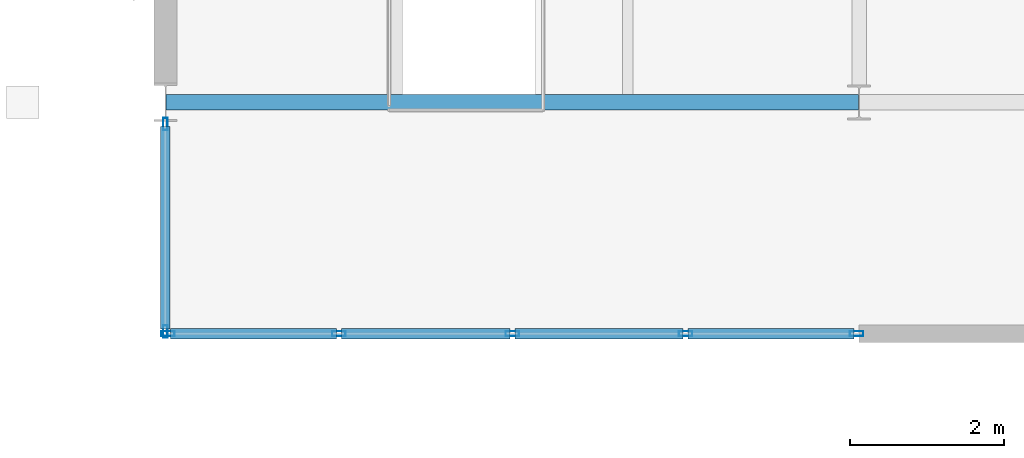
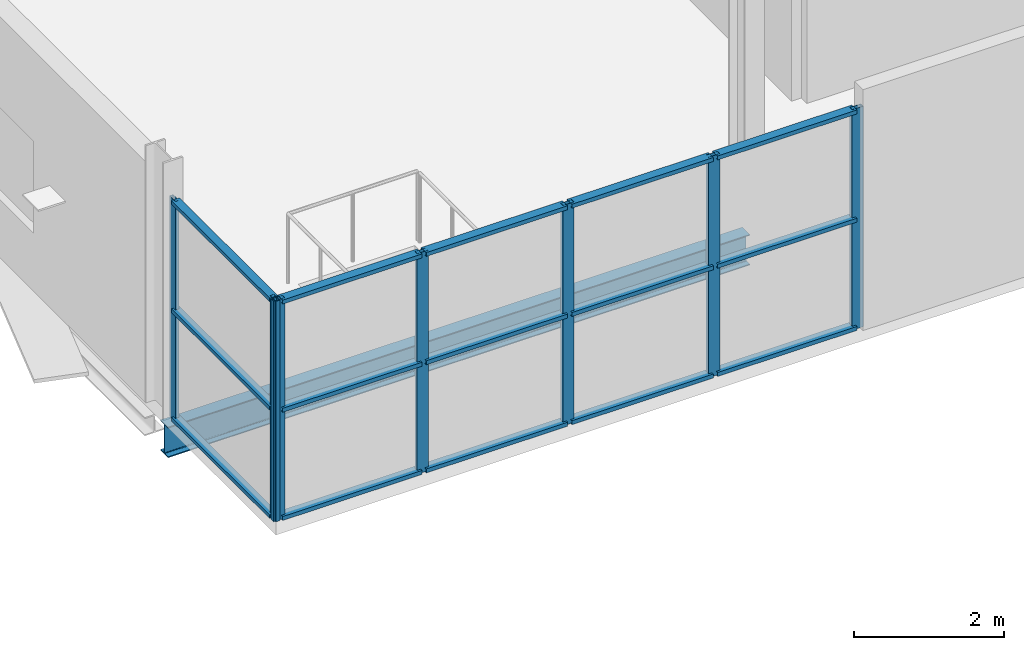
# One storey, part 44 of 132: 22 members, 1 beam, 2 elements without a shape of their own.
"""IFC4 building model written with IfcOpenShell, lengths in metres."""

import ifcopenshell
import ifcopenshell.guid

model = None  # the IFC model being written
_history = None  # IfcOwnerHistory: only IFC2X3 demands one
_inside = {}  # id of a spatial element -> (the spatial element, [elements in it])
_under = {}  # id of a project, library or spatial element -> (it, [spatial elements below it])
_declared = {}  # id of a project -> (the project, [libraries it declares])
_typed = {}  # id of a type object -> (the type object, [elements of that type])
_made_of = {}  # id of a material, layer set ... -> (it, [elements and type objects made of it])


def new_model(schema):
    """Start an empty IFC model of exactly this schema.

    Asked for "IFC4X3", IfcOpenShell would pick the latest addendum, in which some entities
    have other attributes; the version numbers below select the first issue.
    IFC2X3 requires an IfcOwnerHistory on every rooted entity: one is made here for all.
    """
    global model, _history
    if schema == "IFC4X3":
        model = ifcopenshell.file(schema_version=(4, 3, 0, 0))
    else:
        model = ifcopenshell.file(schema=schema)
    _inside.clear()
    _under.clear()
    _declared.clear()
    _typed.clear()
    _made_of.clear()
    _history = None
    if model.schema == "IFC2X3":
        org = make("IfcOrganization", Name="unknown")
        user = make(
            "IfcPersonAndOrganization",
            ThePerson=make("IfcPerson", FamilyName="unknown"),
            TheOrganization=org,
        )
        app = make(
            "IfcApplication",
            ApplicationDeveloper=org,
            Version="unknown",
            ApplicationFullName="unknown",
            ApplicationIdentifier="unknown",
        )
        _history = make(
            "IfcOwnerHistory",
            OwningUser=user,
            OwningApplication=app,
            ChangeAction="ADDED",
            CreationDate=0,
        )
    return model


def make(cls, **values):
    """One entity of the class cls with the attributes given. An attribute that is None is left unset."""
    return model.create_entity(
        cls, **{name: value for name, value in values.items() if value is not None}
    )


def rooted(cls, **values):
    """An entity with a GlobalId (a new one), such as an element, a storey or a relation."""
    return make(cls, GlobalId=ifcopenshell.guid.new(), OwnerHistory=_history, **values)


def si_unit(unit_type, name, prefix=None):
    """IfcSIUnit, for example si_unit("LENGTHUNIT", "METRE", prefix="MILLI")."""
    return make("IfcSIUnit", UnitType=unit_type, Prefix=prefix, Name=name)


def assignment(units):
    """IfcUnitAssignment: the units of a project."""
    return None if units is None else make("IfcUnitAssignment", Units=units)


def point(xyz):
    """IfcCartesianPoint."""
    return None if xyz is None else make("IfcCartesianPoint", Coordinates=xyz)


def direction(xyz):
    """IfcDirection."""
    return None if xyz is None else make("IfcDirection", DirectionRatios=xyz)


def frame(location, z_axis=None, x_axis=None):
    """IfcAxis2Placement3D, a coordinate frame: its origin and axes. An axis left out is left unset."""
    return make(
        "IfcAxis2Placement3D",
        Location=point(location),
        Axis=direction(z_axis),
        RefDirection=direction(x_axis),
    )


def frame_2d(location, x_axis=None):
    """IfcAxis2Placement2D, a coordinate frame in the plane: its origin and x axis."""
    return make(
        "IfcAxis2Placement2D", Location=point(location), RefDirection=direction(x_axis)
    )


def origin():
    """The frame at (0, 0, 0) with its axes left unset."""
    return frame((0.0, 0.0, 0.0))


def origin_2d():
    """The frame at (0, 0) in the plane with its x axis left unset."""
    return frame_2d((0.0, 0.0))


def place(relative_to, where):
    """IfcLocalPlacement: puts the frame where relative to a parent placement (None: the world)."""
    return make(
        "IfcLocalPlacement", PlacementRelTo=relative_to, RelativePlacement=where
    )


def context(
    kind, dimensions, precision=None, world=None, true_north=None, identifier=None
):
    """IfcGeometricRepresentationContext, for example the 3D "Model" context."""
    return make(
        "IfcGeometricRepresentationContext",
        ContextIdentifier=identifier,
        ContextType=kind,
        CoordinateSpaceDimension=dimensions,
        Precision=precision,
        WorldCoordinateSystem=world,
        TrueNorth=true_north,
    )


def subcontext(parent, identifier, kind, view, scale=None):
    """IfcGeometricRepresentationSubContext, for example "Body" below "Model"."""
    return make(
        "IfcGeometricRepresentationSubContext",
        ContextIdentifier=identifier,
        ContextType=kind,
        ParentContext=parent,
        TargetScale=scale,
        TargetView=view,
    )


def project(units=None, contexts=None):
    """IfcProject with its units and contexts."""
    return rooted(
        "IfcProject",
        Name="project",
        RepresentationContexts=contexts,
        UnitsInContext=assignment(units),
    )


def spatial(cls, under=None, at=None, **own):
    """A site, building, storey or space (cls), placed at a placement, below another one or the project."""
    s = rooted(cls, ObjectPlacement=at, **own)
    if under is not None:
        _under.setdefault(under.id(), (under, []))[1].append(s)
    return s


def profile(cls, at=None, kind="AREA", **sizes):
    """A parametric profile (cls). Its sizes go by their IFC names, for example OverallWidth=200.0."""
    return make(cls, ProfileType=kind, Position=at, **sizes)


def hollow_rectangle(**sizes):
    """IfcRectangleHollowProfileDef."""
    return profile("IfcRectangleHollowProfileDef", **sizes)


def i_section(**sizes):
    """IfcIShapeProfileDef."""
    return profile("IfcIShapeProfileDef", **sizes)


def extrude(swept, where, along, depth):
    """IfcExtrudedAreaSolid: the profile swept, set in the frame where, extruded along a direction by depth."""
    return make(
        "IfcExtrudedAreaSolid",
        SweptArea=swept,
        Position=where,
        ExtrudedDirection=direction(along),
        Depth=depth,
    )


def shape(context_of_items, identifier, shape_type, items):
    """IfcShapeRepresentation: the items that make up one representation, for example the "Body"."""
    return make(
        "IfcShapeRepresentation",
        ContextOfItems=context_of_items,
        RepresentationIdentifier=identifier,
        RepresentationType=shape_type,
        Items=items,
    )


def material(Name=None, Category=None):
    """IfcMaterial."""
    return make("IfcMaterial", Name=Name, Category=Category)


def layer(
    of_material, thickness, ventilated=None, Name=None, Category=None, Priority=None
):
    """IfcMaterialLayer: one layer of a wall or slab, of a material (None: an air gap)."""
    return make(
        "IfcMaterialLayer",
        Material=of_material,
        LayerThickness=thickness,
        IsVentilated=ventilated,
        Name=Name,
        Category=Category,
        Priority=Priority,
    )


def layer_set(layers, Name=None):
    """IfcMaterialLayerSet."""
    return make("IfcMaterialLayerSet", MaterialLayers=layers, LayerSetName=Name)


def material_profile(
    of_material, cross_section, Name=None, Category=None, Priority=None
):
    """IfcMaterialProfile: a cross section and its material."""
    return make(
        "IfcMaterialProfile",
        Name=Name,
        Material=of_material,
        Profile=cross_section,
        Priority=Priority,
        Category=Category,
    )


def profile_set(profiles, Name=None, composite=None):
    """IfcMaterialProfileSet."""
    return make(
        "IfcMaterialProfileSet",
        Name=Name,
        MaterialProfiles=profiles,
        CompositeProfile=composite,
    )


def made_of(thing, what):
    """Note that an element or type object is made of a material, layer set ...; save() writes the relation."""
    if what is not None:
        _made_of.setdefault(what.id(), (what, []))[1].append(thing)
    return thing


def type_object(cls, material=None, **own):
    """A type object (cls), such as IfcWallType, which elements share."""
    return made_of(rooted(cls, **own), material)


def element(
    cls,
    number,
    at=None,
    inside=None,
    cuts=None,
    type_object=None,
    material=None,
    context=None,
    identifier="Body",
    shape_type=None,
    held_by="IfcProductDefinitionShape",
    body=None,
    shapes=None,
    **own,
):
    """One element of the class cls, such as IfcWall. Its Tag is "e" and its number.

    at: its placement. inside: the storey or other place that contains it. cuts: it is an
    opening in that element (IfcRelVoidsElement). A single representation is given by context,
    identifier, shape_type and body (its items); several are given by shapes. held_by: the class
    of the entity that holds the representations. save() writes the other relations.
    """
    e = rooted(cls, Tag="e%d" % number, ObjectPlacement=at, **own)
    if body is not None:
        shapes = [shape(context, identifier, shape_type, body)]
    if shapes is not None:
        e.Representation = make(held_by, Representations=shapes)
    if inside is not None:
        _inside.setdefault(inside.id(), (inside, []))[1].append(e)
    if cuts is not None:
        rooted(
            "IfcRelVoidsElement", RelatingBuildingElement=cuts, RelatedOpeningElement=e
        )
    if type_object is not None:
        _typed.setdefault(type_object.id(), (type_object, []))[1].append(e)
    return made_of(e, material)


def aggregate(whole, parts):
    """IfcRelAggregates: a whole, such as a stair, and the parts it consists of."""
    return rooted("IfcRelAggregates", RelatingObject=whole, RelatedObjects=parts)


def save(model, path):
    """Write the relations noted so far, then the file.

    IfcRelAggregates (storeys below a building ...), IfcRelContainedInSpatialStructure (elements
    in a storey), IfcRelDefinesByType, IfcRelAssociatesMaterial and IfcRelDeclares: one each for
    every whole, place, type object, material and project.
    """
    for whole, parts in _under.values():
        aggregate(whole, parts)
    for where, things in _inside.values():
        rooted(
            "IfcRelContainedInSpatialStructure",
            RelatedElements=things,
            RelatingStructure=where,
        )
    for kind, things in _typed.values():
        rooted("IfcRelDefinesByType", RelatedObjects=things, RelatingType=kind)
    for what, things in _made_of.values():
        rooted("IfcRelAssociatesMaterial", RelatedObjects=things, RelatingMaterial=what)
    for by, libraries in _declared.values():
        rooted("IfcRelDeclares", RelatingContext=by, RelatedDefinitions=libraries)
    model.write(path)


model = new_model("IFC4")

# Units and contexts
model_context = context("Model", 3, precision=1e-05, world=origin(), true_north=direction((0.0, 1.0)))
body_context = subcontext(model_context, "Body", "Model", "MODEL_VIEW")
ifc_project = project(units=[si_unit("LENGTHUNIT", "METRE"), si_unit("AREAUNIT", "SQUARE_METRE"), si_unit("VOLUMEUNIT", "CUBIC_METRE"), si_unit("PLANEANGLEUNIT", "RADIAN"), si_unit("MASSUNIT", "GRAM", prefix="KILO")], contexts=[model_context])

# Site, building, storey
site_placement = place(None, origin())
site = spatial("IfcSite", under=ifc_project, at=site_placement, CompositionType="ELEMENT")
building_placement = place(site_placement, origin())
building = spatial("IfcBuilding", under=site, at=building_placement, Name="Deido Ridge Mobility Hub", CompositionType="ELEMENT")
storey_placement = place(building_placement, frame((0.0, 0.0, 8.39990234375)))
storey = spatial("IfcBuildingStorey", under=building, at=storey_placement, Name="L02", CompositionType="ELEMENT", Elevation=8.39990234375)

# Beam
ifc_material_1 = material(Name="Steel S355J2 EN 10025-2", Category="steel")
ifc_material_profile_1 = material_profile(ifc_material_1, i_section(OverallWidth=0.199951171875, OverallDepth=0.5, WebThickness=0.01025390625, FlangeThickness=0.01611328125, FilletRadius=0.02099609375, at=origin_2d()), Name="IPE 500")
ifc_profile_set_1 = profile_set([ifc_material_profile_1], Name="Steel S355J2 EN 10025-2")
beam_type = type_object("IfcBeamType", Name="BM-IPE500", PredefinedType="BEAM", material=ifc_profile_set_1)
beam_placement = place(storey_placement, frame((0.00732421875, 54.0, -0.5048828125), z_axis=(1.0, 0.0, 0.0), x_axis=(0.0, 1.0, 0.0)))
element("IfcBeam", 1, at=beam_placement, inside=storey, type_object=beam_type, Name="Floor beam B3", PredefinedType="BEAM", context=body_context, shape_type="SweptSolid", body=[
    extrude(i_section(OverallWidth=0.199951171875, OverallDepth=0.5, WebThickness=0.01025390625, FlangeThickness=0.01611328125, FilletRadius=0.02099609375, at=origin_2d()), origin(), (0.0, 0.0, 1.0), 8.985595703125),
])

# Curtain wall, members
ifc_material_2 = material(Name="Anodised aluminium EN AW-6063 T6", Category="aluminium")
ifc_layer_1 = layer(ifc_material_2, 0.195068359375, Name="Anodised aluminium EN AW-6063 T6")
ifc_layer_set_1 = layer_set([ifc_layer_1], Name="Anodised aluminium EN AW-6063 T6")
curtain_wall_type_1 = type_object("IfcCurtainWallType", Name="CW-UF-3", PredefinedType="USERDEFINED", material=ifc_layer_set_1)
curtain_wall_1_placement = place(storey_placement, origin())
curtain_wall_1 = element("IfcCurtainWall", 2, at=curtain_wall_1_placement, inside=storey, type_object=curtain_wall_type_1, Name="Unitised curtain wall CW3", ObjectType="UNITISED FACADE", PredefinedType="USERDEFINED")
ifc_material_profile_2 = material_profile(ifc_material_2, hollow_rectangle(XDim=0.06005859375, YDim=0.159912109375, WallThickness=0.00390625, at=origin_2d()), Name="RHS 60x160x4")
ifc_profile_set_2 = profile_set([ifc_material_profile_2], Name="Anodised aluminium EN AW-6063 T6")
member_type_1 = type_object("IfcMemberType", Name="MEM-MUL-60X160", PredefinedType="MULLION", material=ifc_profile_set_2)
member_1_placement = place(storey_placement, frame((0.0, 51.030029296875, 0.0), z_axis=(0.0, 0.0, 1.0), x_axis=(-1.0, 0.0, 0.0)))
member_1 = element("IfcMember", 3, at=member_1_placement, type_object=member_type_1, Name="CW3 mullion 1", PredefinedType="MULLION", context=body_context, shape_type="SweptSolid", body=[
    extrude(hollow_rectangle(XDim=0.06005859375, YDim=0.159912109375, WallThickness=0.00390625, at=origin_2d()), origin(), (0.0, 0.0, 1.0), 3.60009765625),
])
member_2_placement = place(storey_placement, frame((0.0, 53.719970703125, 0.0), z_axis=(0.0, 0.0, 1.0), x_axis=(-1.0, 0.0, 0.0)))
member_2 = element("IfcMember", 4, at=member_2_placement, type_object=member_type_1, Name="CW3 mullion 2", PredefinedType="MULLION", context=body_context, shape_type="SweptSolid", body=[
    extrude(hollow_rectangle(XDim=0.06005859375, YDim=0.159912109375, WallThickness=0.00390625, at=origin_2d()), origin(), (0.0, 0.0, 1.0), 3.60009765625),
])

ifc_layer_2 = layer(ifc_material_2, 0.132080078125, Name="Anodised aluminium EN AW-6063 T6")
ifc_layer_set_2 = layer_set([ifc_layer_2], Name="Anodised aluminium EN AW-6063 T6")
curtain_wall_type_2 = type_object("IfcCurtainWallType", Name="CW-GS-1", PredefinedType="USERDEFINED", material=ifc_layer_set_2)
curtain_wall_2_placement = place(storey_placement, origin())
curtain_wall_2 = element("IfcCurtainWall", 5, at=curtain_wall_2_placement, inside=storey, type_object=curtain_wall_type_2, Name="Unitised curtain wall GS1", ObjectType="GLAZED SCREEN", PredefinedType="USERDEFINED")
ifc_material_profile_3 = material_profile(ifc_material_2, hollow_rectangle(XDim=0.06494140625, YDim=0.175048828125, WallThickness=0.00390625, at=origin_2d()), Name="RHS 65x175x4")
ifc_profile_set_3 = profile_set([ifc_material_profile_3], Name="Anodised aluminium EN AW-6063 T6")
member_type_2 = type_object("IfcMemberType", Name="MEM-MUL-65X175", PredefinedType="MULLION", material=ifc_profile_set_3)
member_3_placement = place(storey_placement, frame((0.032470703125, 51.0, 0.0), z_axis=(0.0, 0.0, 1.0), x_axis=(0.0, 1.0, 0.0)))
member_3 = element("IfcMember", 6, at=member_3_placement, type_object=member_type_2, Name="GS1 mullion 1", PredefinedType="MULLION", context=body_context, shape_type="SweptSolid", body=[
    extrude(hollow_rectangle(XDim=0.06494140625, YDim=0.175048828125, WallThickness=0.00390625, at=origin_2d()), origin(), (0.0, 0.0, 1.0), 3.60009765625),
])
member_4_placement = place(storey_placement, frame((2.25, 51.0, 0.0), z_axis=(0.0, 0.0, 1.0), x_axis=(0.0, 1.0, 0.0)))
member_4 = element("IfcMember", 7, at=member_4_placement, type_object=member_type_2, Name="GS1 mullion 2", PredefinedType="MULLION", context=body_context, shape_type="SweptSolid", body=[
    extrude(hollow_rectangle(XDim=0.06494140625, YDim=0.175048828125, WallThickness=0.00390625, at=origin_2d()), origin(), (0.0, 0.0, 1.0), 3.60009765625),
])
member_5_placement = place(storey_placement, frame((4.5, 51.0, 0.0), z_axis=(0.0, 0.0, 1.0), x_axis=(0.0, 1.0, 0.0)))
member_5 = element("IfcMember", 8, at=member_5_placement, type_object=member_type_2, Name="GS1 mullion 3", PredefinedType="MULLION", context=body_context, shape_type="SweptSolid", body=[
    extrude(hollow_rectangle(XDim=0.06494140625, YDim=0.175048828125, WallThickness=0.00390625, at=origin_2d()), origin(), (0.0, 0.0, 1.0), 3.60009765625),
])
member_6_placement = place(storey_placement, frame((6.75, 51.0, 0.0), z_axis=(0.0, 0.0, 1.0), x_axis=(0.0, 1.0, 0.0)))
member_6 = element("IfcMember", 9, at=member_6_placement, type_object=member_type_2, Name="GS1 mullion 4", PredefinedType="MULLION", context=body_context, shape_type="SweptSolid", body=[
    extrude(hollow_rectangle(XDim=0.06494140625, YDim=0.175048828125, WallThickness=0.00390625, at=origin_2d()), origin(), (0.0, 0.0, 1.0), 3.60009765625),
])
member_7_placement = place(storey_placement, frame((8.967529296875, 51.0, 0.0), z_axis=(0.0, 0.0, 1.0), x_axis=(0.0, 1.0, 0.0)))
member_7 = element("IfcMember", 10, at=member_7_placement, type_object=member_type_2, Name="GS1 mullion 5", PredefinedType="MULLION", context=body_context, shape_type="SweptSolid", body=[
    extrude(hollow_rectangle(XDim=0.06494140625, YDim=0.175048828125, WallThickness=0.00390625, at=origin_2d()), origin(), (0.0, 0.0, 1.0), 3.60009765625),
])

# Member
ifc_material_profile_4 = material_profile(ifc_material_2, hollow_rectangle(XDim=0.125, YDim=0.06005859375, WallThickness=0.00390625, at=origin_2d()), Name="RHS 125x60x4")
ifc_profile_set_4 = profile_set([ifc_material_profile_4], Name="Anodised aluminium EN AW-6063 T6")
member_type_3 = type_object("IfcMemberType", Name="MEM-TRN-125X60", PredefinedType="USERDEFINED", material=ifc_profile_set_4)
member_8_placement = place(storey_placement, frame((0.0, 51.06005859375, 0.030029296875), z_axis=(0.0, 1.0, 0.0), x_axis=(-1.0, 0.0, 0.0)))
member_8 = element("IfcMember", 11, at=member_8_placement, type_object=member_type_3, Name="CW3 transom 1.1", ObjectType="TRANSOM", PredefinedType="USERDEFINED", context=body_context, shape_type="SweptSolid", body=[
    extrude(hollow_rectangle(XDim=0.125, YDim=0.06005859375, WallThickness=0.00390625, at=origin_2d()), origin(), (0.0, 0.0, 1.0), 2.6298828125),
])

member_9_placement = place(storey_placement, frame((0.0, 51.06005859375, 1.800048828125), z_axis=(0.0, 1.0, 0.0), x_axis=(-1.0, 0.0, 0.0)))
member_9 = element("IfcMember", 12, at=member_9_placement, type_object=member_type_3, Name="CW3 transom 1.2", ObjectType="TRANSOM", PredefinedType="USERDEFINED", context=body_context, shape_type="SweptSolid", body=[
    extrude(hollow_rectangle(XDim=0.125, YDim=0.06005859375, WallThickness=0.00390625, at=origin_2d()), origin(), (0.0, 0.0, 1.0), 2.6298828125),
])

member_10_placement = place(storey_placement, frame((0.0, 51.06005859375, 3.570068359375), z_axis=(0.0, 1.0, 0.0), x_axis=(-1.0, 0.0, 0.0)))
member_10 = element("IfcMember", 13, at=member_10_placement, type_object=member_type_3, Name="CW3 transom 1.3", ObjectType="TRANSOM", PredefinedType="USERDEFINED", context=body_context, shape_type="SweptSolid", body=[
    extrude(hollow_rectangle(XDim=0.125, YDim=0.06005859375, WallThickness=0.00390625, at=origin_2d()), origin(), (0.0, 0.0, 1.0), 2.6298828125),
])

aggregate(curtain_wall_1, [member_1, member_2, member_8, member_9, member_10])

ifc_material_profile_5 = material_profile(ifc_material_2, hollow_rectangle(XDim=0.135009765625, YDim=0.06494140625, WallThickness=0.00390625, at=origin_2d()), Name="RHS 135x65x4")
ifc_profile_set_5 = profile_set([ifc_material_profile_5], Name="Anodised aluminium EN AW-6063 T6")
member_type_4 = type_object("IfcMemberType", Name="MEM-TRN-135X65", PredefinedType="USERDEFINED", material=ifc_profile_set_5)
member_11_placement = place(storey_placement, frame((0.06494140625, 51.0, 0.03271484375), z_axis=(1.0, 0.0, 0.0), x_axis=(0.0, 1.0, 0.0)))
member_11 = element("IfcMember", 14, at=member_11_placement, type_object=member_type_4, Name="GS1 transom 1.1", ObjectType="TRANSOM", PredefinedType="USERDEFINED", context=body_context, shape_type="SweptSolid", body=[
    extrude(hollow_rectangle(XDim=0.135009765625, YDim=0.06494140625, WallThickness=0.00390625, at=origin_2d()), origin(), (0.0, 0.0, 1.0), 2.152587890625),
])

member_12_placement = place(storey_placement, frame((0.06494140625, 51.0, 1.800048828125), z_axis=(1.0, 0.0, 0.0), x_axis=(0.0, 1.0, 0.0)))
member_12 = element("IfcMember", 15, at=member_12_placement, type_object=member_type_4, Name="GS1 transom 1.2", ObjectType="TRANSOM", PredefinedType="USERDEFINED", context=body_context, shape_type="SweptSolid", body=[
    extrude(hollow_rectangle(XDim=0.135009765625, YDim=0.06494140625, WallThickness=0.00390625, at=origin_2d()), origin(), (0.0, 0.0, 1.0), 2.152587890625),
])

member_13_placement = place(storey_placement, frame((0.06494140625, 51.0, 3.567626953125), z_axis=(1.0, 0.0, 0.0), x_axis=(0.0, 1.0, 0.0)))
member_13 = element("IfcMember", 16, at=member_13_placement, type_object=member_type_4, Name="GS1 transom 1.3", ObjectType="TRANSOM", PredefinedType="USERDEFINED", context=body_context, shape_type="SweptSolid", body=[
    extrude(hollow_rectangle(XDim=0.135009765625, YDim=0.06494140625, WallThickness=0.00390625, at=origin_2d()), origin(), (0.0, 0.0, 1.0), 2.152587890625),
])

member_14_placement = place(storey_placement, frame((2.282470703125, 51.0, 0.03271484375), z_axis=(1.0, 0.0, 0.0), x_axis=(0.0, 1.0, 0.0)))
member_14 = element("IfcMember", 17, at=member_14_placement, type_object=member_type_4, Name="GS1 transom 2.1", ObjectType="TRANSOM", PredefinedType="USERDEFINED", context=body_context, shape_type="SweptSolid", body=[
    extrude(hollow_rectangle(XDim=0.135009765625, YDim=0.06494140625, WallThickness=0.00390625, at=origin_2d()), origin(), (0.0, 0.0, 1.0), 2.18505859375),
])

member_15_placement = place(storey_placement, frame((2.282470703125, 51.0, 1.800048828125), z_axis=(1.0, 0.0, 0.0), x_axis=(0.0, 1.0, 0.0)))
member_15 = element("IfcMember", 18, at=member_15_placement, type_object=member_type_4, Name="GS1 transom 2.2", ObjectType="TRANSOM", PredefinedType="USERDEFINED", context=body_context, shape_type="SweptSolid", body=[
    extrude(hollow_rectangle(XDim=0.135009765625, YDim=0.06494140625, WallThickness=0.00390625, at=origin_2d()), origin(), (0.0, 0.0, 1.0), 2.18505859375),
])

member_16_placement = place(storey_placement, frame((2.282470703125, 51.0, 3.567626953125), z_axis=(1.0, 0.0, 0.0), x_axis=(0.0, 1.0, 0.0)))
member_16 = element("IfcMember", 19, at=member_16_placement, type_object=member_type_4, Name="GS1 transom 2.3", ObjectType="TRANSOM", PredefinedType="USERDEFINED", context=body_context, shape_type="SweptSolid", body=[
    extrude(hollow_rectangle(XDim=0.135009765625, YDim=0.06494140625, WallThickness=0.00390625, at=origin_2d()), origin(), (0.0, 0.0, 1.0), 2.18505859375),
])

member_17_placement = place(storey_placement, frame((4.532470703125, 51.0, 0.03271484375), z_axis=(1.0, 0.0, 0.0), x_axis=(0.0, 1.0, 0.0)))
member_17 = element("IfcMember", 20, at=member_17_placement, type_object=member_type_4, Name="GS1 transom 3.1", ObjectType="TRANSOM", PredefinedType="USERDEFINED", context=body_context, shape_type="SweptSolid", body=[
    extrude(hollow_rectangle(XDim=0.135009765625, YDim=0.06494140625, WallThickness=0.00390625, at=origin_2d()), origin(), (0.0, 0.0, 1.0), 2.18505859375),
])

member_18_placement = place(storey_placement, frame((4.532470703125, 51.0, 1.800048828125), z_axis=(1.0, 0.0, 0.0), x_axis=(0.0, 1.0, 0.0)))
member_18 = element("IfcMember", 21, at=member_18_placement, type_object=member_type_4, Name="GS1 transom 3.2", ObjectType="TRANSOM", PredefinedType="USERDEFINED", context=body_context, shape_type="SweptSolid", body=[
    extrude(hollow_rectangle(XDim=0.135009765625, YDim=0.06494140625, WallThickness=0.00390625, at=origin_2d()), origin(), (0.0, 0.0, 1.0), 2.18505859375),
])

member_19_placement = place(storey_placement, frame((4.532470703125, 51.0, 3.567626953125), z_axis=(1.0, 0.0, 0.0), x_axis=(0.0, 1.0, 0.0)))
member_19 = element("IfcMember", 22, at=member_19_placement, type_object=member_type_4, Name="GS1 transom 3.3", ObjectType="TRANSOM", PredefinedType="USERDEFINED", context=body_context, shape_type="SweptSolid", body=[
    extrude(hollow_rectangle(XDim=0.135009765625, YDim=0.06494140625, WallThickness=0.00390625, at=origin_2d()), origin(), (0.0, 0.0, 1.0), 2.18505859375),
])

member_20_placement = place(storey_placement, frame((6.782470703125, 51.0, 0.03271484375), z_axis=(1.0, 0.0, 0.0), x_axis=(0.0, 1.0, 0.0)))
member_20 = element("IfcMember", 23, at=member_20_placement, type_object=member_type_4, Name="GS1 transom 4.1", ObjectType="TRANSOM", PredefinedType="USERDEFINED", context=body_context, shape_type="SweptSolid", body=[
    extrude(hollow_rectangle(XDim=0.135009765625, YDim=0.06494140625, WallThickness=0.00390625, at=origin_2d()), origin(), (0.0, 0.0, 1.0), 2.152587890625),
])

member_21_placement = place(storey_placement, frame((6.782470703125, 51.0, 1.800048828125), z_axis=(1.0, 0.0, 0.0), x_axis=(0.0, 1.0, 0.0)))
member_21 = element("IfcMember", 24, at=member_21_placement, type_object=member_type_4, Name="GS1 transom 4.2", ObjectType="TRANSOM", PredefinedType="USERDEFINED", context=body_context, shape_type="SweptSolid", body=[
    extrude(hollow_rectangle(XDim=0.135009765625, YDim=0.06494140625, WallThickness=0.00390625, at=origin_2d()), origin(), (0.0, 0.0, 1.0), 2.152587890625),
])

member_22_placement = place(storey_placement, frame((6.782470703125, 51.0, 3.567626953125), z_axis=(1.0, 0.0, 0.0), x_axis=(0.0, 1.0, 0.0)))
member_22 = element("IfcMember", 25, at=member_22_placement, type_object=member_type_4, Name="GS1 transom 4.3", ObjectType="TRANSOM", PredefinedType="USERDEFINED", context=body_context, shape_type="SweptSolid", body=[
    extrude(hollow_rectangle(XDim=0.135009765625, YDim=0.06494140625, WallThickness=0.00390625, at=origin_2d()), origin(), (0.0, 0.0, 1.0), 2.152587890625),
])

aggregate(curtain_wall_2, [member_3, member_4, member_5, member_6, member_7, member_11, member_12, member_13, member_14, member_15, member_16, member_17, member_18, member_19, member_20, member_21, member_22])

save(model, "model.ifc")
